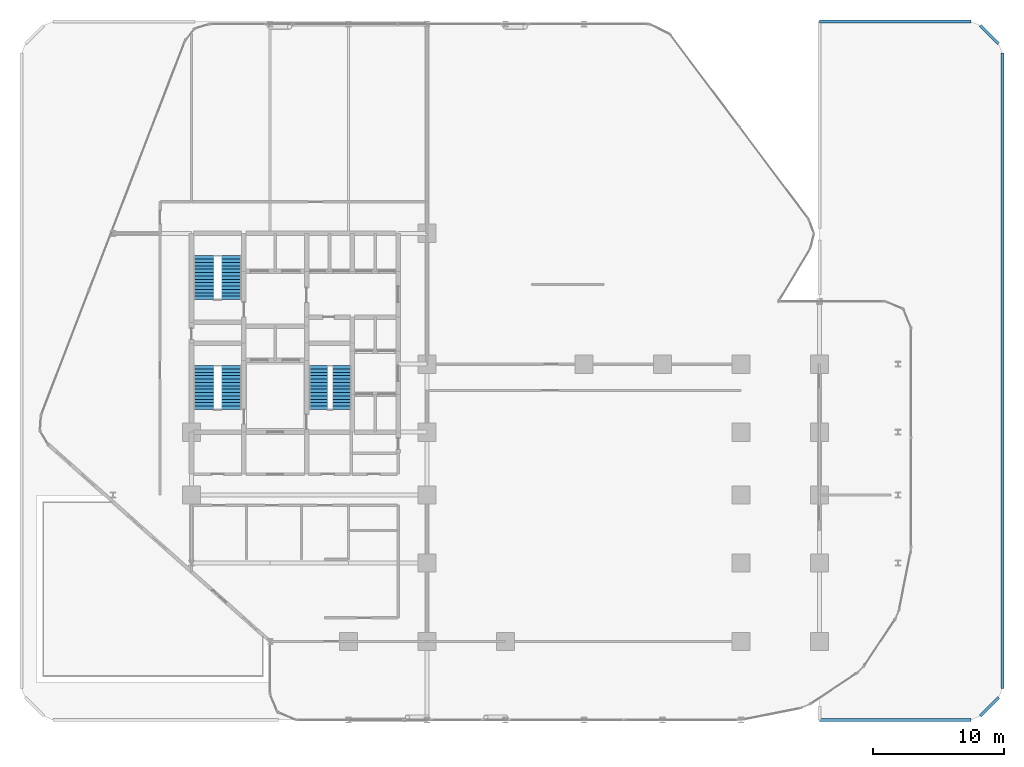
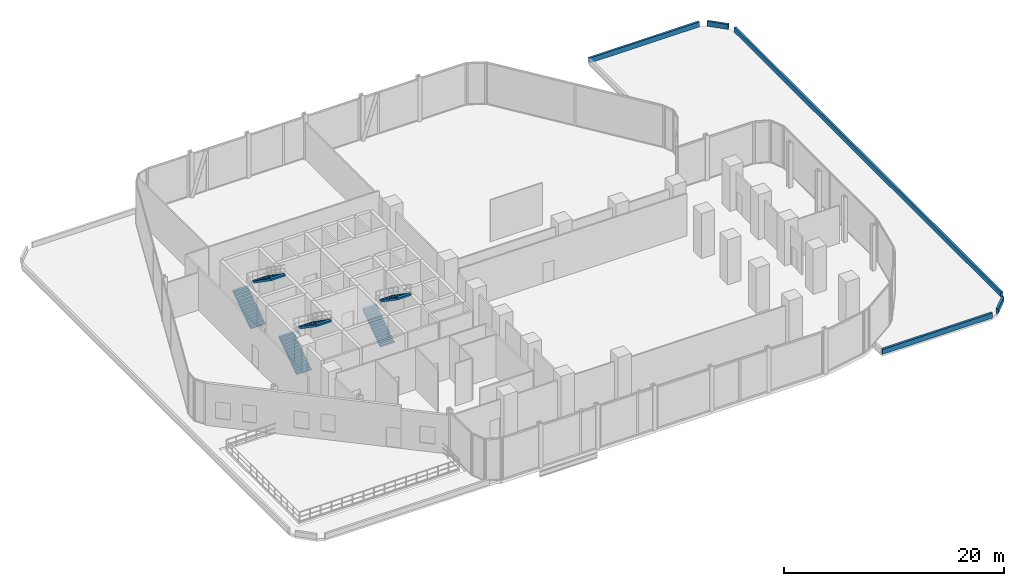
# One storey, part 27 of 29: 6 stair flights, 5 walls, 3 elements without a shape of their own.
"""IFC4 building model written with IfcOpenShell, lengths in metres."""

from ifc_helpers import new_model, si_unit, direction, frame, frame_2d, origin, place, context, subcontext, project, spatial, polyline, rectangle, outline, extrude, material, layer, layer_set, type_object, element, aggregate, save


model = new_model("IFC4")

# Units and contexts
model_context = context("Model", 3, precision=1e-05, world=origin(), true_north=direction((0.0, 1.0)))
body_context = subcontext(model_context, "Body", "Model", "MODEL_VIEW")
ifc_project = project(units=[si_unit("LENGTHUNIT", "METRE"), si_unit("AREAUNIT", "SQUARE_METRE"), si_unit("VOLUMEUNIT", "CUBIC_METRE"), si_unit("PLANEANGLEUNIT", "RADIAN"), si_unit("MASSUNIT", "GRAM", prefix="KILO")], contexts=[model_context])

# Site, building, storey
site_placement = place(None, origin())
site = spatial("IfcSite", under=ifc_project, at=site_placement, CompositionType="ELEMENT")
building_placement = place(site_placement, origin())
building = spatial("IfcBuilding", under=site, at=building_placement, Name="Keshet Zoharim Tower", CompositionType="ELEMENT")
storey_placement = place(building_placement, frame((0.0, 0.0, 19.0)))
storey = spatial("IfcBuildingStorey", under=building, at=storey_placement, Name="L03", CompositionType="ELEMENT", Elevation=19.0)

# Walls
ifc_material_1 = material(Name="Concrete C50/60 precast", Category="concrete")
ifc_layer = layer(ifc_material_1, 0.219970703125)
ifc_layer_set = layer_set([ifc_layer], Name="Concrete C50/60 precast")
wall_type = type_object("IfcWallType", Name="WL-PAR-220", PredefinedType="PARAPET", material=ifc_layer_set)
wall_1_placement = place(storey_placement, frame((77.0, 51.68603515625, 0.0), z_axis=(0.0, 0.0, 1.0), x_axis=(0.0, -1.0, 0.0)))
element("IfcWall", 1, at=wall_1_placement, inside=storey, type_object=wall_type, Name="L03 Setback Roof Parapet 06", PredefinedType="PARAPET", context=body_context, shape_type="SweptSolid", body=[
    extrude(rectangle(XDim=48.572021484375, YDim=0.219970703125, at=frame_2d((24.2861328125, 0.0))), origin(), (0.0, 0.0, 1.0), 0.550048828125),
])
wall_2_placement = place(storey_placement, frame((76.70703125, 2.406982421875, 0.0), z_axis=(0.0, 0.0, 1.0), x_axis=(-0.707106781187, -0.707106781187, 0.0)))
element("IfcWall", 2, at=wall_2_placement, inside=storey, type_object=wall_type, Name="L03 Setback Roof Parapet 07", PredefinedType="PARAPET", context=body_context, shape_type="SweptSolid", body=[
    extrude(rectangle(XDim=1.999755859375, YDim=0.219970703125, at=frame_2d((1.0, 0.0))), origin(), (0.0, 0.0, 1.0), 0.550048828125),
])
for number, where, z_axis, x_axis, name in (
    (3, (74.5859375, 0.699951171875, 0.0), (0.0, 0.0, 1.0), (-1.0, 0.0, 0.0), "L03 Setback Roof Parapet 08"),
    (4, (63.0, 54.10009765625, 0.0), (0.0, 0.0, 1.0), (1.0, 0.0, 0.0), "L03 Setback Roof Parapet 12"),
):
    element("IfcWall", number, at=place(storey_placement, frame(where, z_axis=z_axis, x_axis=x_axis)), inside=storey, type_object=wall_type, Name=name, PredefinedType="PARAPET", context=body_context, shape_type="SweptSolid", body=[
        extrude(rectangle(XDim=11.5859375, YDim=0.219970703125, at=frame_2d((5.79296875, 0.0))), origin(), (0.0, 0.0, 1.0), 0.550048828125),
    ])
wall_3_placement = place(storey_placement, frame((75.29296875, 53.806884765625, 0.0), z_axis=(0.0, 0.0, 1.0), x_axis=(0.707167825498, -0.707045731605, 0.0)))
element("IfcWall", 5, at=wall_3_placement, inside=storey, type_object=wall_type, Name="L03 Setback Roof Parapet 13", PredefinedType="PARAPET", context=body_context, shape_type="SweptSolid", body=[
    extrude(rectangle(XDim=1.99951171875, YDim=0.219970703125, at=frame_2d((0.999755859375, 0.0))), origin(), (0.0, 0.0, 1.0), 0.550048828125),
])

# Stair, stair flights
ifc_material_2 = material(Name="Concrete C50/60", Category="concrete")
stair_type = type_object("IfcStairType", Name="STR-EXIT-135", PredefinedType="HALF_TURN_STAIR", material=ifc_material_2)
stair_1_placement = place(storey_placement, origin())
stair_1 = element("IfcStair", 6, at=stair_1_placement, inside=storey, type_object=stair_type, Name="L03 Enclosed Exit Stair ST-01", PredefinedType="HALF_TURN_STAIR")
stair_flight_type_1 = type_object("IfcStairFlightType", Name="FLT-PRE-135", PredefinedType="STRAIGHT", material=ifc_material_2)
stair_flight_1_placement = place(storey_placement, frame((15.945068359375, 24.43994140625, 0.0), z_axis=(0.0, 0.0, 1.0), x_axis=(0.0, 1.0, 0.0)))
stair_flight_1 = element("IfcStairFlight", 7, at=stair_flight_1_placement, type_object=stair_flight_type_1, Name="ST-01 flight 1", NumberOfRisers=14, NumberOfTreads=13, PredefinedType="STRAIGHT", RiserHeight=0.178571, TreadLength=0.258, context=body_context, shape_type="SweptSolid", body=[
    extrude(outline(polyline([(0.0, 0.0), (0.0, 0.178466796875), (0.258056640625, 0.178466796875), (0.258056640625, 0.357177734375), (0.51611328125, 0.357177734375), (0.51611328125, 0.53564453125), (0.77392578125, 0.53564453125), (0.77392578125, 0.71435546875), (1.031982421875, 0.71435546875), (1.031982421875, 0.892822265625), (1.2900390625, 0.892822265625), (1.2900390625, 1.071533203125), (1.548095703125, 1.071533203125), (1.548095703125, 1.25), (1.805908203125, 1.25), (1.805908203125, 1.428466796875), (2.06396484375, 1.428466796875), (2.06396484375, 1.607177734375), (2.322021484375, 1.607177734375), (2.322021484375, 1.78564453125), (2.580078125, 1.78564453125), (2.580078125, 1.96435546875), (2.837890625, 1.96435546875), (2.837890625, 2.142822265625), (3.095947265625, 2.142822265625), (3.095947265625, 2.321533203125), (3.35400390625, 2.321533203125), (3.35400390625, 2.5), (3.35400390625, 2.126953125), (0.281005859375, 0.0), (0.0, 0.0)])), frame((0.0, 0.76513671875, 0.0), z_axis=(0.0, -1.0, 0.0), x_axis=(1.0, 0.0, 0.0)), (0.0, 0.0, 1.0), 1.530029296875),
])
stair_flight_2_placement = place(storey_placement, frame((18.054931640625, 27.7939453125, 2.5), z_axis=(0.0, 0.0, 1.0), x_axis=(0.0, -1.0, 0.0)))
stair_flight_2 = element("IfcStairFlight", 8, at=stair_flight_2_placement, type_object=stair_flight_type_1, Name="ST-01 flight 2", NumberOfRisers=14, NumberOfTreads=13, PredefinedType="STRAIGHT", RiserHeight=0.178571, TreadLength=0.258, context=body_context, shape_type="SweptSolid", body=[
    extrude(outline(polyline([(0.0, 0.0), (0.0, 0.178466796875), (0.258056640625, 0.178466796875), (0.258056640625, 0.357177734375), (0.51611328125, 0.357177734375), (0.51611328125, 0.53564453125), (0.77392578125, 0.53564453125), (0.77392578125, 0.71435546875), (1.031982421875, 0.71435546875), (1.031982421875, 0.892822265625), (1.2900390625, 0.892822265625), (1.2900390625, 1.071533203125), (1.548095703125, 1.071533203125), (1.548095703125, 1.25), (1.805908203125, 1.25), (1.805908203125, 1.428466796875), (2.06396484375, 1.428466796875), (2.06396484375, 1.607177734375), (2.322021484375, 1.607177734375), (2.322021484375, 1.78564453125), (2.580078125, 1.78564453125), (2.580078125, 1.96435546875), (2.837890625, 1.96435546875), (2.837890625, 2.142822265625), (3.095947265625, 2.142822265625), (3.095947265625, 2.321533203125), (3.35400390625, 2.321533203125), (3.35400390625, 2.5), (3.35400390625, 2.126953125), (0.281005859375, 0.0), (0.0, 0.0)])), frame((0.0, 0.76513671875, 0.0), z_axis=(0.0, -1.0, 0.0), x_axis=(1.0, 0.0, 0.0)), (0.0, 0.0, 1.0), 1.530029296875),
])
aggregate(stair_1, [stair_flight_1, stair_flight_2])

stair_2_placement = place(storey_placement, origin())
stair_2 = element("IfcStair", 9, at=stair_2_placement, inside=storey, type_object=stair_type, Name="L03 Enclosed Exit Stair ST-02", PredefinedType="HALF_TURN_STAIR")
stair_flight_3_placement = place(storey_placement, frame((15.945068359375, 32.840087890625, 0.0), z_axis=(0.0, 0.0, 1.0), x_axis=(0.0, 1.0, 0.0)))
stair_flight_3 = element("IfcStairFlight", 10, at=stair_flight_3_placement, type_object=stair_flight_type_1, Name="ST-02 flight 1", NumberOfRisers=14, NumberOfTreads=13, PredefinedType="STRAIGHT", RiserHeight=0.178571, TreadLength=0.258, context=body_context, shape_type="SweptSolid", body=[
    extrude(outline(polyline([(0.0, 0.0), (0.0, 0.178466796875), (0.258056640625, 0.178466796875), (0.258056640625, 0.357177734375), (0.51611328125, 0.357177734375), (0.51611328125, 0.53564453125), (0.77392578125, 0.53564453125), (0.77392578125, 0.71435546875), (1.031982421875, 0.71435546875), (1.031982421875, 0.892822265625), (1.2900390625, 0.892822265625), (1.2900390625, 1.071533203125), (1.548095703125, 1.071533203125), (1.548095703125, 1.25), (1.805908203125, 1.25), (1.805908203125, 1.428466796875), (2.06396484375, 1.428466796875), (2.06396484375, 1.607177734375), (2.322021484375, 1.607177734375), (2.322021484375, 1.78564453125), (2.580078125, 1.78564453125), (2.580078125, 1.96435546875), (2.837890625, 1.96435546875), (2.837890625, 2.142822265625), (3.095947265625, 2.142822265625), (3.095947265625, 2.321533203125), (3.35400390625, 2.321533203125), (3.35400390625, 2.5), (3.35400390625, 2.126953125), (0.281005859375, 0.0), (0.0, 0.0)])), frame((0.0, 0.76513671875, 0.0), z_axis=(0.0, -1.0, 0.0), x_axis=(1.0, 0.0, 0.0)), (0.0, 0.0, 1.0), 1.530029296875),
])
stair_flight_4_placement = place(storey_placement, frame((18.054931640625, 36.194091796875, 2.5), z_axis=(0.0, 0.0, 1.0), x_axis=(0.0, -1.0, 0.0)))
stair_flight_4 = element("IfcStairFlight", 11, at=stair_flight_4_placement, type_object=stair_flight_type_1, Name="ST-02 flight 2", NumberOfRisers=14, NumberOfTreads=13, PredefinedType="STRAIGHT", RiserHeight=0.178571, TreadLength=0.258, context=body_context, shape_type="SweptSolid", body=[
    extrude(outline(polyline([(0.0, 0.0), (0.0, 0.178466796875), (0.258056640625, 0.178466796875), (0.258056640625, 0.357177734375), (0.51611328125, 0.357177734375), (0.51611328125, 0.53564453125), (0.77392578125, 0.53564453125), (0.77392578125, 0.71435546875), (1.031982421875, 0.71435546875), (1.031982421875, 0.892822265625), (1.2900390625, 0.892822265625), (1.2900390625, 1.071533203125), (1.548095703125, 1.071533203125), (1.548095703125, 1.25), (1.805908203125, 1.25), (1.805908203125, 1.428466796875), (2.06396484375, 1.428466796875), (2.06396484375, 1.607177734375), (2.322021484375, 1.607177734375), (2.322021484375, 1.78564453125), (2.580078125, 1.78564453125), (2.580078125, 1.96435546875), (2.837890625, 1.96435546875), (2.837890625, 2.142822265625), (3.095947265625, 2.142822265625), (3.095947265625, 2.321533203125), (3.35400390625, 2.321533203125), (3.35400390625, 2.5), (3.35400390625, 2.126953125), (0.281005859375, 0.0), (0.0, 0.0)])), frame((0.0, 0.76513671875, 0.0), z_axis=(0.0, -1.0, 0.0), x_axis=(1.0, 0.0, 0.0)), (0.0, 0.0, 1.0), 1.530029296875),
])
aggregate(stair_2, [stair_flight_3, stair_flight_4])

stair_3_placement = place(storey_placement, origin())
stair_3 = element("IfcStair", 12, at=stair_3_placement, inside=storey, type_object=stair_type, Name="L03 Enclosed Exit Stair ST-03", PredefinedType="HALF_TURN_STAIR")
stair_flight_type_2 = type_object("IfcStairFlightType", Name="FLT-PRE-144", PredefinedType="STRAIGHT", material=ifc_material_2)
stair_flight_5_placement = place(storey_placement, frame((24.699951171875, 24.43994140625, 0.0), z_axis=(0.0, 0.0, 1.0), x_axis=(0.0, 1.0, 0.0)))
stair_flight_5 = element("IfcStairFlight", 13, at=stair_flight_5_placement, type_object=stair_flight_type_2, Name="ST-03 flight 1", NumberOfRisers=14, NumberOfTreads=13, PredefinedType="STRAIGHT", RiserHeight=0.178571, TreadLength=0.258, context=body_context, shape_type="SweptSolid", body=[
    extrude(outline(polyline([(0.0, 0.0), (0.0, 0.178466796875), (0.258056640625, 0.178466796875), (0.258056640625, 0.357177734375), (0.51611328125, 0.357177734375), (0.51611328125, 0.53564453125), (0.77392578125, 0.53564453125), (0.77392578125, 0.71435546875), (1.031982421875, 0.71435546875), (1.031982421875, 0.892822265625), (1.2900390625, 0.892822265625), (1.2900390625, 1.071533203125), (1.548095703125, 1.071533203125), (1.548095703125, 1.25), (1.805908203125, 1.25), (1.805908203125, 1.428466796875), (2.06396484375, 1.428466796875), (2.06396484375, 1.607177734375), (2.322021484375, 1.607177734375), (2.322021484375, 1.78564453125), (2.580078125, 1.78564453125), (2.580078125, 1.96435546875), (2.837890625, 1.96435546875), (2.837890625, 2.142822265625), (3.095947265625, 2.142822265625), (3.095947265625, 2.321533203125), (3.35400390625, 2.321533203125), (3.35400390625, 2.5), (3.35400390625, 2.126953125), (0.281005859375, 0.0), (0.0, 0.0)])), frame((0.0, 0.719970703125, 0.0), z_axis=(0.0, -1.0, 0.0), x_axis=(1.0, 0.0, 0.0)), (0.0, 0.0, 1.0), 1.43994140625),
])
stair_flight_6_placement = place(storey_placement, frame((26.5, 27.7939453125, 2.5), z_axis=(0.0, 0.0, 1.0), x_axis=(0.0, -1.0, 0.0)))
stair_flight_6 = element("IfcStairFlight", 14, at=stair_flight_6_placement, type_object=stair_flight_type_2, Name="ST-03 flight 2", NumberOfRisers=14, NumberOfTreads=13, PredefinedType="STRAIGHT", RiserHeight=0.178571, TreadLength=0.258, context=body_context, shape_type="SweptSolid", body=[
    extrude(outline(polyline([(0.0, 0.0), (0.0, 0.178466796875), (0.258056640625, 0.178466796875), (0.258056640625, 0.357177734375), (0.51611328125, 0.357177734375), (0.51611328125, 0.53564453125), (0.77392578125, 0.53564453125), (0.77392578125, 0.71435546875), (1.031982421875, 0.71435546875), (1.031982421875, 0.892822265625), (1.2900390625, 0.892822265625), (1.2900390625, 1.071533203125), (1.548095703125, 1.071533203125), (1.548095703125, 1.25), (1.805908203125, 1.25), (1.805908203125, 1.428466796875), (2.06396484375, 1.428466796875), (2.06396484375, 1.607177734375), (2.322021484375, 1.607177734375), (2.322021484375, 1.78564453125), (2.580078125, 1.78564453125), (2.580078125, 1.96435546875), (2.837890625, 1.96435546875), (2.837890625, 2.142822265625), (3.095947265625, 2.142822265625), (3.095947265625, 2.321533203125), (3.35400390625, 2.321533203125), (3.35400390625, 2.5), (3.35400390625, 2.126953125), (0.281005859375, 0.0), (0.0, 0.0)])), frame((0.0, 0.719970703125, 0.0), z_axis=(0.0, -1.0, 0.0), x_axis=(1.0, 0.0, 0.0)), (0.0, 0.0, 1.0), 1.43994140625),
])
aggregate(stair_3, [stair_flight_5, stair_flight_6])

save(model, "model.ifc")
